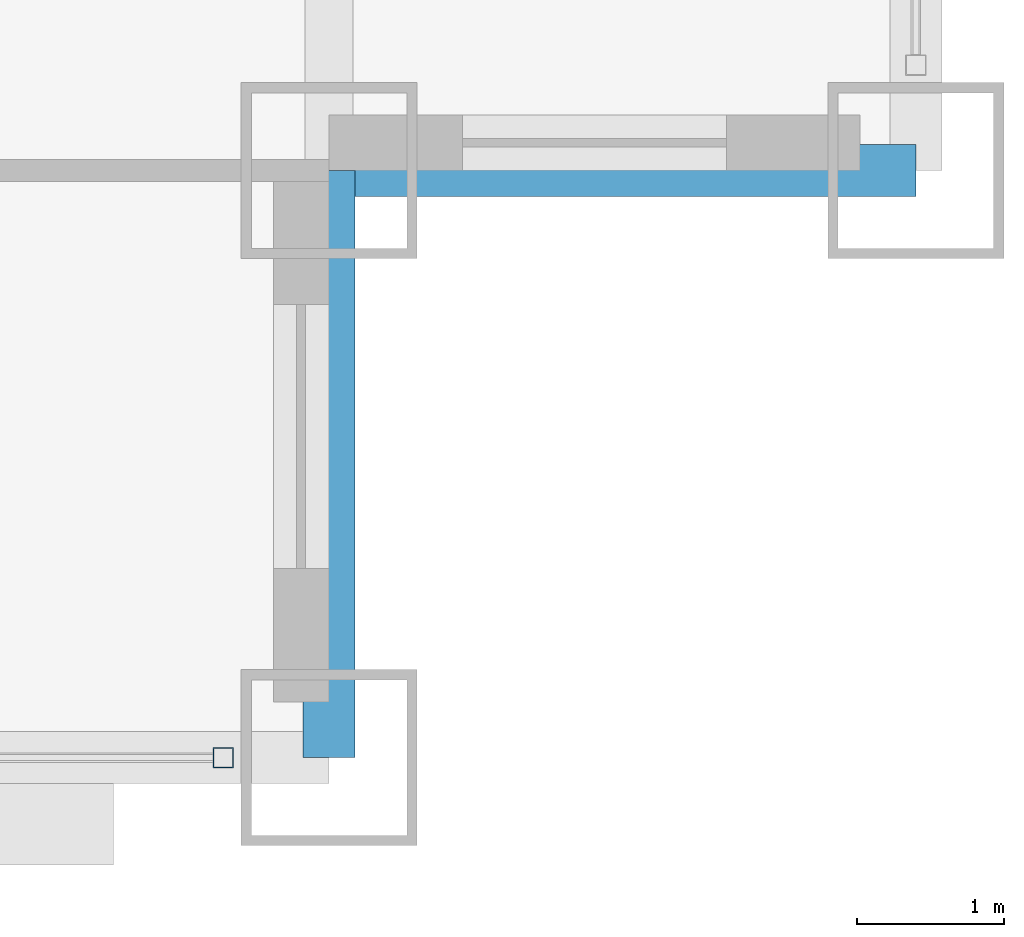
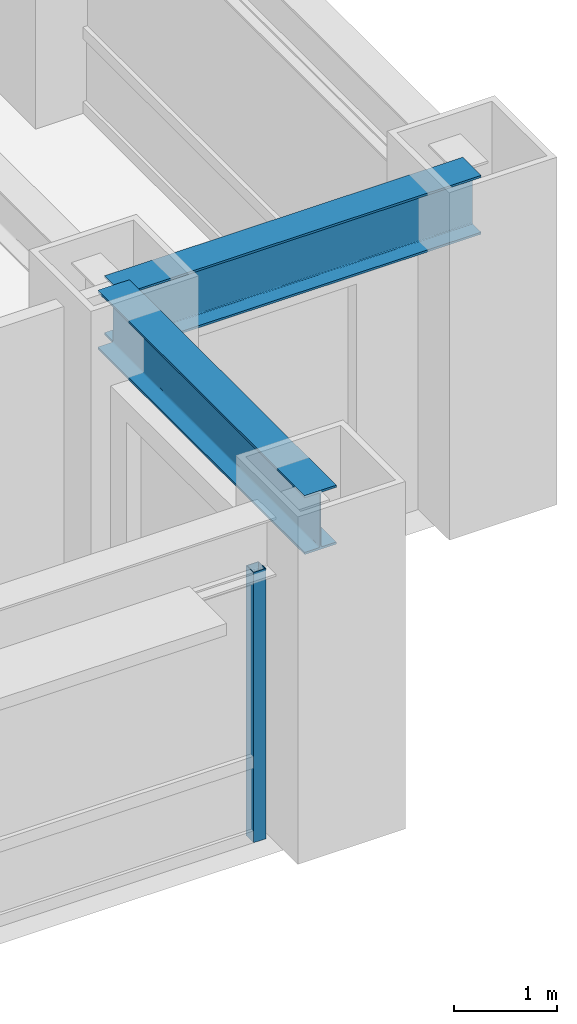
# One storey, part 6 of 32: 2 beams, 1 member, 1 element without a shape of its own.
"""IFC4 building model written with IfcOpenShell, lengths in metres."""

from ifc_helpers import new_model, si_unit, direction, frame, origin, origin_2d, place, context, subcontext, project, spatial, hollow_rectangle, i_section, extrude, source, transform, mapped, material, material_profile, profile_set, type_object, element, aggregate, save


model = new_model("IFC4")

# Units and contexts
model_context = context("Model", 3, precision=1e-05, world=origin(), true_north=direction((0.0, 1.0)))
body_context = subcontext(model_context, "Body", "Model", "MODEL_VIEW")
ifc_project = project(units=[si_unit("LENGTHUNIT", "METRE"), si_unit("AREAUNIT", "SQUARE_METRE"), si_unit("VOLUMEUNIT", "CUBIC_METRE"), si_unit("PLANEANGLEUNIT", "RADIAN"), si_unit("MASSUNIT", "GRAM", prefix="KILO")], contexts=[model_context])

# Site, building, storey
site_placement = place(None, origin())
site = spatial("IfcSite", under=ifc_project, at=site_placement, CompositionType="ELEMENT")
building_placement = place(site_placement, origin())
building = spatial("IfcBuilding", under=site, at=building_placement, Name="Khorayat Bourse Tower", CompositionType="ELEMENT")
storey_placement = place(building_placement, frame((0.0, 0.0, 95.5)))
storey = spatial("IfcBuildingStorey", under=building, at=storey_placement, Name="L21", CompositionType="ELEMENT", Elevation=95.5)

# Beams
ifc_material_1 = material(Name="Steel ASTM A992 Grade 50", Category="steel")
ifc_material_profile_1 = material_profile(ifc_material_1, i_section(OverallWidth=0.35498046875, OverallDepth=0.695068359375, WebThickness=0.015380859375, FlangeThickness=0.02490234375, FilletRadius=0.01806640625, at=origin_2d()), Name="W690X217")
ifc_profile_set_1 = profile_set([ifc_material_profile_1], Name="Steel ASTM A992 Grade 50")
beam_type = type_object("IfcBeamType", Name="BM-SPAN-690", PredefinedType="SPANDREL", material=ifc_profile_set_1)
shared_shape_1 = source(origin(), body_context, "Body", "SweptSolid", [
    extrude(i_section(OverallWidth=0.35498046875, OverallDepth=0.695068359375, WebThickness=0.015380859375, FlangeThickness=0.02490234375, FilletRadius=0.01806640625, at=origin_2d()), origin(), (0.0, 0.0, 1.0), 4.0),
])
for number, where, z_axis, x_axis, name in (
    (1, (28.0, -32.0, 3.492431640625), (0.0, 1.0, 0.0), (-1.0, 0.0, 0.0), "L21 BM-SPAN-690 BM-L21-SPN-032"),
    (2, (28.0, -28.0, 3.492431640625), (1.0, 0.0, 0.0), (0.0, 1.0, 0.0), "L21 BM-SPAN-690 BM-L21-SPN-033"),
):
    element("IfcBeam", number, at=place(storey_placement, frame(where, z_axis=z_axis, x_axis=x_axis)), inside=storey, type_object=beam_type, Name=name, PredefinedType="SPANDREL", context=body_context, shape_type="MappedRepresentation", body=[
        mapped(shared_shape_1, transform((0.0, 0.0, 0.0), scale=1.0)),
    ])

# Curtain wall, member
ifc_material_2 = material(Name="Aluminium EN AW-6063 T6", Category="aluminium")
curtain_wall_type = type_object("IfcCurtainWallType", Name="CW-SYS-02", PredefinedType="NOTDEFINED", material=ifc_material_2)
curtain_wall_placement = place(storey_placement, origin())
curtain_wall = element("IfcCurtainWall", 3, at=curtain_wall_placement, inside=storey, type_object=curtain_wall_type, Name="L21 Curtain Wall CW-L21-S1", PredefinedType="NOTDEFINED")
ifc_material_profile_2 = material_profile(ifc_material_2, hollow_rectangle(XDim=0.139892578125, YDim=0.139892578125, WallThickness=0.006103515625, at=origin_2d()), Name="ALU 140x140x6")
ifc_profile_set_2 = profile_set([ifc_material_profile_2], Name="Aluminium EN AW-6063 T6")
member_type = type_object("IfcMemberType", Name="CWM-VERT-140", PredefinedType="MULLION", material=ifc_profile_set_2)
shared_shape_2 = source(origin(), body_context, "Body", "SweptSolid", [
    extrude(hollow_rectangle(XDim=0.139892578125, YDim=0.139892578125, WallThickness=0.006103515625, at=origin_2d()), origin(), (0.0, 0.0, 1.0), 3.18994140625),
])
member_placement = place(storey_placement, frame((27.280029296875, -32.0, 0.0), z_axis=(0.0, 0.0, 1.0), x_axis=(0.0, 1.0, 0.0)))
member = element("IfcMember", 4, at=member_placement, type_object=member_type, Name="CW-L21-S1 Vertical Mullion 3", PredefinedType="MULLION", context=body_context, shape_type="MappedRepresentation", body=[
    mapped(shared_shape_2, transform((0.0, 0.0, 0.0), scale=1.0)),
])
aggregate(curtain_wall, [member])

save(model, "model.ifc")
